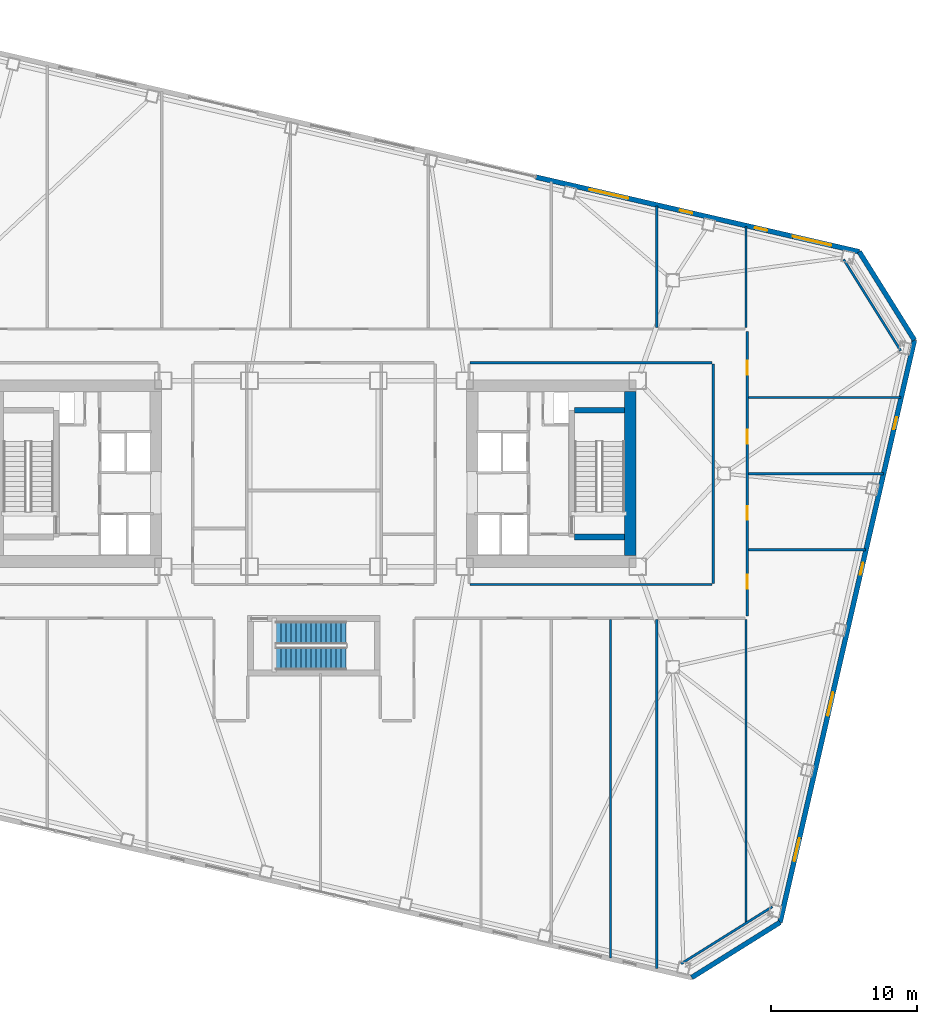
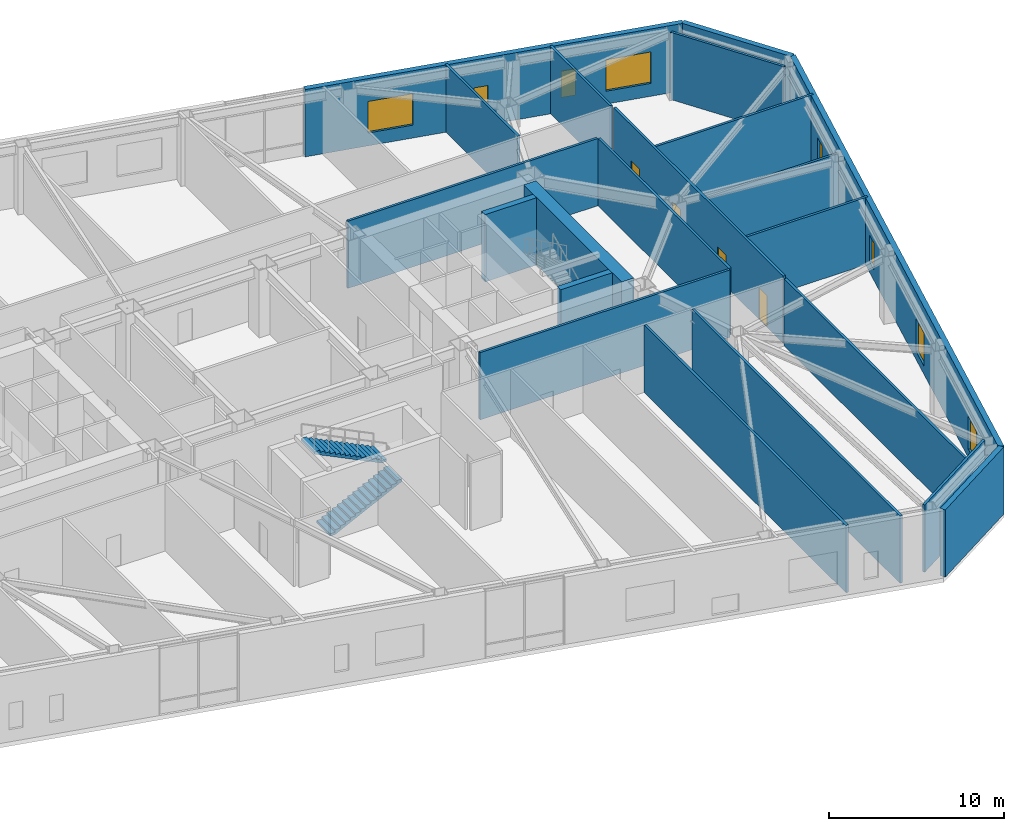
# One storey, part 13 of 20: 21 walls, 8 windows, 4 doors, 2 stair flights, 12 openings, 1 element without a shape of its own.
"""IFC4 building model written with IfcOpenShell, lengths in metres."""

from ifc_helpers import new_model, si_unit, direction, frame, frame_2d, origin, place, context, subcontext, project, spatial, polyline, rectangle, outline, extrude, material, layer, layer_set, type_object, element, fill, aggregate, save


model = new_model("IFC4")

# Units and contexts
model_context = context("Model", 3, precision=1e-05, world=origin(), true_north=direction((0.0, 1.0)))
body_context = subcontext(model_context, "Body", "Model", "MODEL_VIEW")
ifc_project = project(units=[si_unit("LENGTHUNIT", "METRE"), si_unit("AREAUNIT", "SQUARE_METRE"), si_unit("VOLUMEUNIT", "CUBIC_METRE"), si_unit("PLANEANGLEUNIT", "RADIAN"), si_unit("MASSUNIT", "GRAM", prefix="KILO")], contexts=[model_context])

# Site, building, storey
site_placement = place(None, origin())
site = spatial("IfcSite", under=ifc_project, at=site_placement, CompositionType="ELEMENT")
building_placement = place(site_placement, origin())
building = spatial("IfcBuilding", under=site, at=building_placement, Name="Tavrogorsk Clinical Tower", CompositionType="ELEMENT")
storey_placement = place(building_placement, frame((0.0, 0.0, 13.39990234375)))
storey = spatial("IfcBuildingStorey", under=building, at=storey_placement, Name="L02", CompositionType="ELEMENT", Elevation=13.39990234375)

# Walls
ifc_material_1 = material(Name="Lightweight concrete blockwork B15", Category="masonry")
ifc_layer_1 = layer(ifc_material_1, 0.159912109375)
ifc_layer_set_1 = layer_set([ifc_layer_1], Name="Lightweight concrete blockwork B15")
wall_type_1 = type_object("IfcWallType", Name="PartitionWall_160", PredefinedType="PARTITIONING", material=ifc_layer_set_1)
for number, where, z_axis, x_axis, name in (
    (1, (25.0595703125, -33.46826171875, 0.0), (0.0, 0.0, 1.0), (0.848043064089, 0.529927317139, 0.0), "L02 Corner Exoskeleton Brace Furring Wall 1"),
    (2, (40.059814453125, 8.389404296875, 0.0), (0.0, 0.0, 1.0), (-0.529927317139, 0.848043064089, 0.0), "L02 Corner Exoskeleton Brace Furring Wall 2"),
):
    element("IfcWall", number, at=place(storey_placement, frame(where, z_axis=z_axis, x_axis=x_axis)), inside=storey, type_object=wall_type_1, Name=name, PredefinedType="PARTITIONING", context=body_context, shape_type="SweptSolid", body=[
        extrude(rectangle(XDim=7.353759765625, YDim=0.159912109375, at=frame_2d((3.6767578125, 0.0))), origin(), (0.0, 0.0, 1.0), 4.7001953125),
    ])

# Wall, openings, doors
wall_1_placement = place(storey_placement, frame((29.580078125, 9.715087890625, 0.0), z_axis=(0.0, 0.0, 1.0), x_axis=(0.0, -1.0, 0.0)))
wall_1 = element("IfcWall", 3, at=wall_1_placement, inside=storey, type_object=wall_type_1, Name="L02 Corridor Partition 03", PredefinedType="PARTITIONING", context=body_context, shape_type="SweptSolid", body=[
    extrude(rectangle(XDim=19.43017578125, YDim=0.159912109375, at=frame_2d((9.715087890625, 0.0))), origin(), (0.0, 0.0, 1.0), 4.7001953125),
])
opening_1_placement = place(wall_1_placement, frame((16.630859375, 0.0, 0.0)))
opening_1 = element("IfcOpeningElement", 4, at=opening_1_placement, cuts=wall_1, Name="Opening ID-02", PredefinedType="OPENING", context=body_context, shape_type="SweptSolid", body=[
    extrude(rectangle(XDim=0.949951171875, YDim=2.199951171875, at=frame_2d((0.47509765625, 1.10009765625))), frame((0.0, 0.08984375, 0.0), z_axis=(0.0, -1.0, 0.0), x_axis=(1.0, 0.0, 0.0)), (0.0, 0.0, 1.0), 0.179931640625),
])
opening_2_placement = place(wall_1_placement, frame((11.925048828125, 0.0, 0.0)))
opening_2 = element("IfcOpeningElement", 5, at=opening_2_placement, cuts=wall_1, Name="Opening ID-02", PredefinedType="OPENING", context=body_context, shape_type="SweptSolid", body=[
    extrude(rectangle(XDim=0.949951171875, YDim=2.199951171875, at=frame_2d((0.47509765625, 1.10009765625))), frame((0.0, 0.08984375, 0.0), z_axis=(0.0, -1.0, 0.0), x_axis=(1.0, 0.0, 0.0)), (0.0, 0.0, 1.0), 0.179931640625),
])
opening_3_placement = place(wall_1_placement, frame((6.72509765625, 0.0, 0.0)))
opening_3 = element("IfcOpeningElement", 6, at=opening_3_placement, cuts=wall_1, Name="Opening ID-02", PredefinedType="OPENING", context=body_context, shape_type="SweptSolid", body=[
    extrude(rectangle(XDim=0.949951171875, YDim=2.199951171875, at=frame_2d((0.47509765625, 1.10009765625))), frame((0.0, 0.08984375, 0.0), z_axis=(0.0, -1.0, 0.0), x_axis=(1.0, 0.0, 0.0)), (0.0, 0.0, 1.0), 0.179931640625),
])
opening_4_placement = place(wall_1_placement, frame((2.01904296875, 0.0, 0.0)))
opening_4 = element("IfcOpeningElement", 7, at=opening_4_placement, cuts=wall_1, Name="Opening ID-02", PredefinedType="OPENING", context=body_context, shape_type="SweptSolid", body=[
    extrude(rectangle(XDim=0.949951171875, YDim=2.199951171875, at=frame_2d((0.47509765625, 1.10009765625))), frame((0.0, 0.08984375, 0.0), z_axis=(0.0, -1.0, 0.0), x_axis=(1.0, 0.0, 0.0)), (0.0, 0.0, 1.0), 0.179931640625),
])
ifc_material_2 = material(Name="Laminated timber leaf on aluminium frame", Category="wood")
door_type = type_object("IfcDoorType", Name="InteriorDoor_ID02_950", OperationType="NOTDEFINED", PredefinedType="DOOR", material=ifc_material_2)
door_1_placement = place(opening_1_placement, origin())
door_1 = element("IfcDoor", 8, at=door_1_placement, inside=storey, type_object=door_type, Name="L02 E Senior Clinician Suite 1 Door", OperationType="SINGLE_SWING_RIGHT", OverallHeight=2.199951171875, OverallWidth=0.949951171875, PredefinedType="DOOR", context=body_context, shape_type="SweptSolid", body=[
    extrude(rectangle(XDim=0.949951171875, YDim=2.199951171875, at=frame_2d((0.47509765625, 1.10009765625))), frame((0.0, 0.02490234375, 0.0), z_axis=(0.0, -1.0, 0.0), x_axis=(1.0, 0.0, 0.0)), (0.0, 0.0, 1.0), 0.050048828125),
])
fill(opening_1, door_1)
door_2_placement = place(opening_2_placement, origin())
door_2 = element("IfcDoor", 9, at=door_2_placement, inside=storey, type_object=door_type, Name="L02 E Multidisciplinary Seminar Suite 2 Door", OperationType="SINGLE_SWING_LEFT", OverallHeight=2.199951171875, OverallWidth=0.949951171875, PredefinedType="DOOR", context=body_context, shape_type="SweptSolid", body=[
    extrude(rectangle(XDim=0.949951171875, YDim=2.199951171875, at=frame_2d((0.47509765625, 1.10009765625))), frame((0.0, 0.02490234375, 0.0), z_axis=(0.0, -1.0, 0.0), x_axis=(1.0, 0.0, 0.0)), (0.0, 0.0, 1.0), 0.050048828125),
])
fill(opening_2, door_2)
door_3_placement = place(opening_3_placement, origin())
door_3 = element("IfcDoor", 10, at=door_3_placement, inside=storey, type_object=door_type, Name="L02 E Specialist Consultation Room 3 Door", OperationType="SINGLE_SWING_RIGHT", OverallHeight=2.199951171875, OverallWidth=0.949951171875, PredefinedType="DOOR", context=body_context, shape_type="SweptSolid", body=[
    extrude(rectangle(XDim=0.949951171875, YDim=2.199951171875, at=frame_2d((0.47509765625, 1.10009765625))), frame((0.0, 0.02490234375, 0.0), z_axis=(0.0, -1.0, 0.0), x_axis=(1.0, 0.0, 0.0)), (0.0, 0.0, 1.0), 0.050048828125),
])
fill(opening_3, door_3)
door_4_placement = place(opening_4_placement, origin())
door_4 = element("IfcDoor", 11, at=door_4_placement, inside=storey, type_object=door_type, Name="L02 E Clinical Fellows' Study 4 Door", OperationType="SINGLE_SWING_LEFT", OverallHeight=2.199951171875, OverallWidth=0.949951171875, PredefinedType="DOOR", context=body_context, shape_type="SweptSolid", body=[
    extrude(rectangle(XDim=0.949951171875, YDim=2.199951171875, at=frame_2d((0.47509765625, 1.10009765625))), frame((0.0, 0.02490234375, 0.0), z_axis=(0.0, -1.0, 0.0), x_axis=(1.0, 0.0, 0.0)), (0.0, 0.0, 1.0), 0.050048828125),
])
fill(opening_4, door_4)

# Walls
for number, where, z_axis, x_axis, name in (
    (12, (27.18505859375, 7.570068359375, 0.0), (0.0, 0.0, 1.0), (-1.0, 0.0, 0.0), "L02 Corridor Partition 12"),
    (13, (10.6650390625, -7.570068359375, 0.0), (0.0, 0.0, 1.0), (1.0, 0.0, 0.0), "L02 Corridor Partition 15"),
):
    element("IfcWall", number, at=place(storey_placement, frame(where, z_axis=z_axis, x_axis=x_axis)), inside=storey, type_object=wall_type_1, Name=name, PredefinedType="PARTITIONING", context=body_context, shape_type="SweptSolid", body=[
        extrude(rectangle(XDim=16.52001953125, YDim=0.159912109375, at=frame_2d((8.260009765625, 0.0))), origin(), (0.0, 0.0, 1.0), 4.7001953125),
    ])
wall_2_placement = place(storey_placement, frame((27.27001953125, -7.485107421875, 0.0), z_axis=(0.0, 0.0, 1.0), x_axis=(0.0, 1.0, 0.0)))
element("IfcWall", 14, at=wall_2_placement, inside=storey, type_object=wall_type_1, Name="L02 Corridor Partition 16", PredefinedType="PARTITIONING", context=body_context, shape_type="SweptSolid", body=[
    extrude(rectangle(XDim=14.97021484375, YDim=0.159912109375, at=frame_2d((7.485107421875, 0.0))), origin(), (0.0, 0.0, 1.0), 4.7001953125),
])
wall_3_placement = place(storey_placement, frame((29.5, 9.965087890625, 0.0), z_axis=(0.0, 0.0, 1.0), x_axis=(0.0, 1.0, 0.0)))
element("IfcWall", 15, at=wall_3_placement, inside=storey, type_object=wall_type_1, Name="L02 NE Wing Closure Partition", PredefinedType="PARTITIONING", context=body_context, shape_type="SweptSolid", body=[
    extrude(rectangle(XDim=6.897216796875, YDim=0.159912109375, at=frame_2d((3.44873046875, 0.0))), origin(), (0.0, 0.0, 1.0), 4.7001953125),
])
wall_4_placement = place(storey_placement, frame((29.5, -30.702880859375, 0.0), z_axis=(0.0, 0.0, 1.0), x_axis=(0.0, 1.0, 0.0)))
element("IfcWall", 16, at=wall_4_placement, inside=storey, type_object=wall_type_1, Name="L02 SE Wing Closure Partition", PredefinedType="PARTITIONING", context=body_context, shape_type="SweptSolid", body=[
    extrude(rectangle(XDim=20.73779296875, YDim=0.159912109375, at=frame_2d((10.368896484375, 0.0))), origin(), (0.0, 0.0, 1.0), 4.7001953125),
])
wall_5_placement = place(storey_placement, frame((23.39990234375, 9.965087890625, 0.0), z_axis=(0.0, 0.0, 1.0), x_axis=(0.0, 1.0, 0.0)))
element("IfcWall", 17, at=wall_5_placement, inside=storey, type_object=wall_type_1, Name="L02 North Room Partition 7", PredefinedType="PARTITIONING", context=body_context, shape_type="SweptSolid", body=[
    extrude(rectangle(XDim=8.3056640625, YDim=0.159912109375, at=frame_2d((4.15283203125, 0.0))), origin(), (0.0, 0.0, 1.0), 4.7001953125),
])
wall_6_placement = place(storey_placement, frame((23.39990234375, -33.783447265625, 0.0), z_axis=(0.0, 0.0, 1.0), x_axis=(0.0, 1.0, 0.0)))
element("IfcWall", 18, at=wall_6_placement, inside=storey, type_object=wall_type_1, Name="L02 South Room Partition 6", PredefinedType="PARTITIONING", context=body_context, shape_type="SweptSolid", body=[
    extrude(rectangle(XDim=23.818359375, YDim=0.159912109375, at=frame_2d((11.9091796875, 0.0))), origin(), (0.0, 0.0, 1.0), 4.7001953125),
])
wall_7_placement = place(storey_placement, frame((20.25, -33.05615234375, 0.0), z_axis=(0.0, 0.0, 1.0), x_axis=(0.0, 1.0, 0.0)))
element("IfcWall", 19, at=wall_7_placement, inside=storey, type_object=wall_type_1, Name="L02 South Sub-Partition 6", PredefinedType="PARTITIONING", context=body_context, shape_type="SweptSolid", body=[
    extrude(rectangle(XDim=23.091064453125, YDim=0.159912109375, at=frame_2d((11.54541015625, 0.0))), origin(), (0.0, 0.0, 1.0), 4.7001953125),
])
wall_8_placement = place(storey_placement, frame((29.6650390625, -5.199951171875, 0.0), z_axis=(0.0, 0.0, 1.0), x_axis=(1.0, 0.0, 0.0)))
element("IfcWall", 20, at=wall_8_placement, inside=storey, type_object=wall_type_1, Name="L02 E Wing Divider 1", PredefinedType="PARTITIONING", context=body_context, shape_type="SweptSolid", body=[
    extrude(rectangle(XDim=8.007080078125, YDim=0.159912109375, at=frame_2d((4.00341796875, 0.0))), origin(), (0.0, 0.0, 1.0), 4.7001953125),
])
wall_9_placement = place(storey_placement, frame((29.6650390625, 0.0, 0.0), z_axis=(0.0, 0.0, 1.0), x_axis=(1.0, 0.0, 0.0)))
element("IfcWall", 21, at=wall_9_placement, inside=storey, type_object=wall_type_1, Name="L02 E Wing Divider 2", PredefinedType="PARTITIONING", context=body_context, shape_type="SweptSolid", body=[
    extrude(rectangle(XDim=9.207763671875, YDim=0.159912109375, at=frame_2d((4.60400390625, 0.0))), origin(), (0.0, 0.0, 1.0), 4.195068359375),
])
wall_10_placement = place(storey_placement, frame((29.6650390625, 5.199951171875, 0.0), z_axis=(0.0, 0.0, 1.0), x_axis=(1.0, 0.0, 0.0)))
element("IfcWall", 22, at=wall_10_placement, inside=storey, type_object=wall_type_1, Name="L02 E Wing Divider 3", PredefinedType="PARTITIONING", context=body_context, shape_type="SweptSolid", body=[
    extrude(rectangle(XDim=10.408203125, YDim=0.159912109375, at=frame_2d((5.2041015625, 0.0))), origin(), (0.0, 0.0, 1.0), 4.7001953125),
])

# Wall, openings, windows
ifc_material_3 = material(Name="Precast concrete B45 with limestone cladding", Category="masonry")
ifc_layer_2 = layer(ifc_material_3, 0.340087890625)
ifc_layer_set_2 = layer_set([ifc_layer_2], Name="Precast concrete B45 with limestone cladding")
wall_type_2 = type_object("IfcWallType", Name="PrecastLimestoneWall_340", PredefinedType="STANDARD", material=ifc_layer_set_2)
wall_11_placement = place(storey_placement, frame((37.228515625, 15.14990234375, 0.0), z_axis=(0.0, 0.0, 1.0), x_axis=(-0.97436993772, 0.224951604723, 0.0)))
wall_11 = element("IfcWall", 23, at=wall_11_placement, inside=storey, type_object=wall_type_2, Name="L02 N Limestone Facade Wall 1", PredefinedType="STANDARD", context=body_context, shape_type="SweptSolid", body=[
    extrude(rectangle(XDim=22.6513671875, YDim=0.340087890625, at=frame_2d((11.32568359375, 0.0))), origin(), (0.0, 0.0, 1.0), 4.7001953125),
])
opening_5_placement = place(wall_11_placement, frame((16.195068359375, 0.0, 0.89990234375)))
opening_5 = element("IfcOpeningElement", 24, at=opening_5_placement, cuts=wall_11, Name="Opening WN-02", PredefinedType="OPENING", context=body_context, shape_type="SweptSolid", body=[
    extrude(rectangle(XDim=2.699951171875, YDim=2.199951171875, at=frame_2d((1.35009765625, 1.10009765625))), frame((0.0, 0.179931640625, 0.0), z_axis=(0.0, -1.0, 0.0), x_axis=(1.0, 0.0, 0.0)), (0.0, 0.0, 1.0), 0.360107421875),
])
opening_6_placement = place(wall_11_placement, frame((11.710693359375, 0.0, 0.89990234375)))
opening_6 = element("IfcOpeningElement", 25, at=opening_6_placement, cuts=wall_11, Name="Opening WN-06", PredefinedType="OPENING", context=body_context, shape_type="SweptSolid", body=[
    extrude(rectangle(XDim=0.85009765625, YDim=1.85009765625, at=frame_2d((0.425048828125, 0.925048828125))), frame((0.0, 0.179931640625, 0.0), z_axis=(0.0, -1.0, 0.0), x_axis=(1.0, 0.0, 0.0)), (0.0, 0.0, 1.0), 0.360107421875),
])
opening_7_placement = place(wall_11_placement, frame((6.446533203125, 0.0, 0.89990234375)))
opening_7 = element("IfcOpeningElement", 26, at=opening_7_placement, cuts=wall_11, Name="Opening WN-06", PredefinedType="OPENING", context=body_context, shape_type="SweptSolid", body=[
    extrude(rectangle(XDim=0.85009765625, YDim=1.85009765625, at=frame_2d((0.425048828125, 0.925048828125))), frame((0.0, 0.179931640625, 0.0), z_axis=(0.0, -1.0, 0.0), x_axis=(1.0, 0.0, 0.0)), (0.0, 0.0, 1.0), 0.360107421875),
])
opening_8_placement = place(wall_11_placement, frame((1.962158203125, 0.0, 0.89990234375)))
opening_8 = element("IfcOpeningElement", 27, at=opening_8_placement, cuts=wall_11, Name="Opening WN-02", PredefinedType="OPENING", context=body_context, shape_type="SweptSolid", body=[
    extrude(rectangle(XDim=2.699951171875, YDim=2.199951171875, at=frame_2d((1.35009765625, 1.10009765625))), frame((0.0, 0.179931640625, 0.0), z_axis=(0.0, -1.0, 0.0), x_axis=(1.0, 0.0, 0.0)), (0.0, 0.0, 1.0), 0.360107421875),
])
ifc_material_4 = material(Name="Thermally broken aluminium frame and triple IGU", Category="aluminium")
window_type_1 = type_object("IfcWindowType", Name="MullionSubWin_850x1850", PartitioningType="SINGLE_PANEL", PredefinedType="WINDOW", material=ifc_material_4)
window_1_placement = place(opening_6_placement, origin())
window_1 = element("IfcWindow", 28, at=window_1_placement, inside=storey, type_object=window_type_1, Name="L02 N Mullion Split Window 08A", OverallHeight=1.85009765625, OverallWidth=0.85009765625, PartitioningType="SINGLE_PANEL", PredefinedType="WINDOW", context=body_context, shape_type="SweptSolid", body=[
    extrude(rectangle(XDim=0.85009765625, YDim=1.85009765625, at=frame_2d((0.425048828125, 0.925048828125))), frame((0.0, 0.030029296875, 0.0), z_axis=(0.0, -1.0, 0.0), x_axis=(1.0, 0.0, 0.0)), (0.0, 0.0, 1.0), 0.06005859375),
])
fill(opening_6, window_1)
window_2_placement = place(opening_7_placement, origin())
window_2 = element("IfcWindow", 29, at=window_2_placement, inside=storey, type_object=window_type_1, Name="L02 N Mullion Split Window 09A", OverallHeight=1.85009765625, OverallWidth=0.85009765625, PartitioningType="SINGLE_PANEL", PredefinedType="WINDOW", context=body_context, shape_type="SweptSolid", body=[
    extrude(rectangle(XDim=0.85009765625, YDim=1.85009765625, at=frame_2d((0.425048828125, 0.925048828125))), frame((0.0, 0.030029296875, 0.0), z_axis=(0.0, -1.0, 0.0), x_axis=(1.0, 0.0, 0.0)), (0.0, 0.0, 1.0), 0.06005859375),
])
fill(opening_7, window_2)
ifc_material_5 = material(Name="Thermally broken aluminium frame and triple IGU", Category="aluminium")
window_type_2 = type_object("IfcWindowType", Name="WardChicagoWin_2700x2200", PartitioningType="TRIPLE_PANEL_HORIZONTAL", PredefinedType="WINDOW", material=ifc_material_5)
window_3_placement = place(opening_5_placement, origin())
window_3 = element("IfcWindow", 30, at=window_3_placement, inside=storey, type_object=window_type_2, Name="L02 N Chicago Window 07", OverallHeight=2.199951171875, OverallWidth=2.699951171875, PartitioningType="SINGLE_PANEL", PredefinedType="WINDOW", context=body_context, shape_type="SweptSolid", body=[
    extrude(rectangle(XDim=2.699951171875, YDim=2.199951171875, at=frame_2d((1.35009765625, 1.10009765625))), frame((0.0, 0.030029296875, 0.0), z_axis=(0.0, -1.0, 0.0), x_axis=(1.0, 0.0, 0.0)), (0.0, 0.0, 1.0), 0.06005859375),
])
fill(opening_5, window_3)
window_4_placement = place(opening_8_placement, origin())
window_4 = element("IfcWindow", 31, at=window_4_placement, inside=storey, type_object=window_type_2, Name="L02 N Chicago Window 10", OverallHeight=2.199951171875, OverallWidth=2.699951171875, PartitioningType="SINGLE_PANEL", PredefinedType="WINDOW", context=body_context, shape_type="SweptSolid", body=[
    extrude(rectangle(XDim=2.699951171875, YDim=2.199951171875, at=frame_2d((1.35009765625, 1.10009765625))), frame((0.0, 0.030029296875, 0.0), z_axis=(0.0, -1.0, 0.0), x_axis=(1.0, 0.0, 0.0)), (0.0, 0.0, 1.0), 0.06005859375),
])
fill(opening_8, window_4)

wall_12_placement = place(storey_placement, frame((31.820068359375, -30.636962890625, 0.0), z_axis=(0.0, 0.0, 1.0), x_axis=(0.224949969076, 0.974370315338, 0.0)))
wall_12 = element("IfcWall", 32, at=wall_12_placement, inside=storey, type_object=wall_type_2, Name="L02 E Pleated Limestone Wing Wall", PredefinedType="STANDARD", context=body_context, shape_type="SweptSolid", body=[
    extrude(rectangle(XDim=40.800048828125, YDim=0.340087890625, at=frame_2d((20.39990234375, 0.0))), origin(), (0.0, 0.0, 1.0), 4.7001953125),
])
opening_9_placement = place(wall_12_placement, frame((4.300048828125, 0.0, 0.580078125)))
opening_9 = element("IfcOpeningElement", 33, at=opening_9_placement, cuts=wall_12, Name="Opening WN-07", PredefinedType="OPENING", context=body_context, shape_type="SweptSolid", body=[
    extrude(rectangle(XDim=1.60009765625, YDim=2.300048828125, at=frame_2d((0.800048828125, 1.14990234375))), frame((0.0, 0.179931640625, 0.0), z_axis=(0.0, -1.0, 0.0), x_axis=(1.0, 0.0, 0.0)), (0.0, 0.0, 1.0), 0.360107421875),
])
opening_10_placement = place(wall_12_placement, frame((14.5, 0.0, 0.580078125)))
opening_10 = element("IfcOpeningElement", 34, at=opening_10_placement, cuts=wall_12, Name="Opening WN-07", PredefinedType="OPENING", context=body_context, shape_type="SweptSolid", body=[
    extrude(rectangle(XDim=1.60009765625, YDim=2.300048828125, at=frame_2d((0.800048828125, 1.14990234375))), frame((0.0, 0.179931640625, 0.0), z_axis=(0.0, -1.0, 0.0), x_axis=(1.0, 0.0, 0.0)), (0.0, 0.0, 1.0), 0.360107421875),
])
opening_11_placement = place(wall_12_placement, frame((24.35009765625, 0.0, 0.75)))
opening_11 = element("IfcOpeningElement", 35, at=opening_11_placement, cuts=wall_12, Name="Opening WN-06", PredefinedType="OPENING", context=body_context, shape_type="SweptSolid", body=[
    extrude(rectangle(XDim=0.85009765625, YDim=1.85009765625, at=frame_2d((0.425048828125, 0.925048828125))), frame((0.0, 0.179931640625, 0.0), z_axis=(0.0, -1.0, 0.0), x_axis=(1.0, 0.0, 0.0)), (0.0, 0.0, 1.0), 0.360107421875),
])
opening_12_placement = place(wall_12_placement, frame((34.550048828125, 0.0, 0.75)))
opening_12 = element("IfcOpeningElement", 36, at=opening_12_placement, cuts=wall_12, Name="Opening WN-06", PredefinedType="OPENING", context=body_context, shape_type="SweptSolid", body=[
    extrude(rectangle(XDim=0.85009765625, YDim=1.85009765625, at=frame_2d((0.425048828125, 0.925048828125))), frame((0.0, 0.179931640625, 0.0), z_axis=(0.0, -1.0, 0.0), x_axis=(1.0, 0.0, 0.0)), (0.0, 0.0, 1.0), 0.360107421875),
])
window_5_placement = place(opening_11_placement, origin())
window_5 = element("IfcWindow", 37, at=window_5_placement, inside=storey, type_object=window_type_1, Name="L02 E Pleat Mullion Window 3A", OverallHeight=1.85009765625, OverallWidth=0.85009765625, PartitioningType="SINGLE_PANEL", PredefinedType="WINDOW", context=body_context, shape_type="SweptSolid", body=[
    extrude(rectangle(XDim=0.85009765625, YDim=1.85009765625, at=frame_2d((0.425048828125, 0.925048828125))), frame((0.0, 0.030029296875, 0.0), z_axis=(0.0, -1.0, 0.0), x_axis=(1.0, 0.0, 0.0)), (0.0, 0.0, 1.0), 0.06005859375),
])
fill(opening_11, window_5)
window_6_placement = place(opening_12_placement, origin())
window_6 = element("IfcWindow", 38, at=window_6_placement, inside=storey, type_object=window_type_1, Name="L02 E Pleat Mullion Window 4A", OverallHeight=1.85009765625, OverallWidth=0.85009765625, PartitioningType="SINGLE_PANEL", PredefinedType="WINDOW", context=body_context, shape_type="SweptSolid", body=[
    extrude(rectangle(XDim=0.85009765625, YDim=1.85009765625, at=frame_2d((0.425048828125, 0.925048828125))), frame((0.0, 0.030029296875, 0.0), z_axis=(0.0, -1.0, 0.0), x_axis=(1.0, 0.0, 0.0)), (0.0, 0.0, 1.0), 0.06005859375),
])
fill(opening_12, window_6)
ifc_material_6 = material(Name="Thermally broken aluminium frame and triple IGU", Category="aluminium")
window_type_3 = type_object("IfcWindowType", Name="PleatSlotWin_1600x2300", PartitioningType="SINGLE_PANEL", PredefinedType="WINDOW", material=ifc_material_6)
window_7_placement = place(opening_9_placement, origin())
window_7 = element("IfcWindow", 39, at=window_7_placement, inside=storey, type_object=window_type_3, Name="L02 E Pleat Slot Window 1", OverallHeight=2.300048828125, OverallWidth=1.60009765625, PartitioningType="SINGLE_PANEL", PredefinedType="WINDOW", context=body_context, shape_type="SweptSolid", body=[
    extrude(rectangle(XDim=1.60009765625, YDim=2.300048828125, at=frame_2d((0.800048828125, 1.14990234375))), frame((0.0, 0.030029296875, 0.0), z_axis=(0.0, -1.0, 0.0), x_axis=(1.0, 0.0, 0.0)), (0.0, 0.0, 1.0), 0.06005859375),
])
fill(opening_9, window_7)
window_8_placement = place(opening_10_placement, origin())
window_8 = element("IfcWindow", 40, at=window_8_placement, inside=storey, type_object=window_type_3, Name="L02 E Pleat Slot Window 2", OverallHeight=2.300048828125, OverallWidth=1.60009765625, PartitioningType="SINGLE_PANEL", PredefinedType="WINDOW", context=body_context, shape_type="SweptSolid", body=[
    extrude(rectangle(XDim=1.60009765625, YDim=2.300048828125, at=frame_2d((0.800048828125, 1.14990234375))), frame((0.0, 0.030029296875, 0.0), z_axis=(0.0, -1.0, 0.0), x_axis=(1.0, 0.0, 0.0)), (0.0, 0.0, 1.0), 0.06005859375),
])
fill(opening_10, window_8)

# Walls
for number, where, z_axis, x_axis, name in (
    (41, (25.78759765625, -34.406494140625, 0.0), (0.0, 0.0, 1.0), (0.848046504656, 0.529921811158, 0.0), "L02 Chamfered Corner Wall 1"),
    (42, (40.998046875, 9.117431640625, 0.0), (0.0, 0.0, 1.0), (-0.529921811158, 0.848046504656, 0.0), "L02 Chamfered Corner Wall 2"),
):
    element("IfcWall", number, at=place(storey_placement, frame(where, z_axis=z_axis, x_axis=x_axis)), inside=storey, type_object=wall_type_2, Name=name, PredefinedType="STANDARD", context=body_context, shape_type="SweptSolid", body=[
        extrude(rectangle(XDim=7.11328125, YDim=0.340087890625, at=frame_2d((3.556640625, 0.0))), origin(), (0.0, 0.0, 1.0), 4.7001953125),
    ])
ifc_material_7 = material(Name="Concrete B80", Category="concrete")
ifc_layer_3 = layer(ifc_material_7, 0.39990234375)
ifc_layer_set_3 = layer_set([ifc_layer_3], Name="Concrete B80")
wall_type_3 = type_object("IfcWallType", Name="ShearWall_400", PredefinedType="SHEAR", material=ifc_layer_set_3)
for number, where, z_axis, x_axis, name in (
    (43, (17.800048828125, -4.324951171875, 0.0), (0.0, 0.0, 1.0), (1.0, 0.0, 0.0), "L02 Core East Stair Shaft South Shear Wall"),
    (44, (17.800048828125, 4.324951171875, 0.0), (0.0, 0.0, 1.0), (1.0, 0.0, 0.0), "L02 Core East Stair Shaft North Shear Wall"),
):
    element("IfcWall", number, at=place(storey_placement, frame(where, z_axis=z_axis, x_axis=x_axis)), inside=storey, type_object=wall_type_3, Name=name, PredefinedType="SHEAR", context=body_context, shape_type="SweptSolid", body=[
        extrude(rectangle(XDim=3.39990234375, YDim=0.39990234375, at=frame_2d((1.699951171875, 0.0))), origin(), (0.0, 0.0, 1.0), 4.7001953125),
    ])
ifc_material_8 = material(Name="Concrete B80", Category="concrete")
ifc_layer_4 = layer(ifc_material_8, 0.800048828125)
ifc_layer_set_4 = layer_set([ifc_layer_4], Name="Concrete B80")
wall_type_4 = type_object("IfcWallType", Name="ShearWall_800", PredefinedType="SHEAR", material=ifc_layer_set_4)
wall_13_placement = place(storey_placement, frame((21.60009765625, -5.60009765625, 0.0), z_axis=(0.0, 0.0, 1.0), x_axis=(0.0, 1.0, 0.0)))
element("IfcWall", 45, at=wall_13_placement, inside=storey, type_object=wall_type_4, Name="L02 Core East End Shear Wall", PredefinedType="SHEAR", context=body_context, shape_type="SweptSolid", body=[
    extrude(rectangle(XDim=11.2001953125, YDim=0.800048828125, at=frame_2d((5.60009765625, 0.0))), origin(), (0.0, 0.0, 1.0), 4.7001953125),
])

# Stair, stair flights
ifc_material_9 = material(Name="Concrete B60", Category="concrete")
stair_type = type_object("IfcStairType", Name="CoreStairAssembly", PredefinedType="HALF_TURN_STAIR", material=ifc_material_9)
stair_placement = place(storey_placement, origin())
stair = element("IfcStair", 46, at=stair_placement, inside=storey, type_object=stair_type, Name="L02 ST-P", PredefinedType="HALF_TURN_STAIR")
ifc_material_10 = material(Name="Concrete B60", Category="concrete")
stair_flight_type = type_object("IfcStairFlightType", Name="CoreStairFlight", PredefinedType="STRAIGHT", material=ifc_material_10)
stair_flight_1_placement = place(storey_placement, frame((-2.574951171875, -12.625, 0.0), z_axis=(0.0, 0.0, 1.0), x_axis=(1.0, 0.0, 0.0)))
stair_flight_1 = element("IfcStairFlight", 47, at=stair_flight_1_placement, type_object=stair_flight_type, Name="ST-P flight 1", NumberOfRisers=15, NumberOfTreads=14, PredefinedType="STRAIGHT", RiserHeight=0.166666667, TreadLength=0.34, context=body_context, shape_type="SweptSolid", body=[
    extrude(outline(polyline([(0.0, 0.0), (0.0, 0.166748046875), (0.340087890625, 0.166748046875), (0.340087890625, 0.333251953125), (0.679931640625, 0.333251953125), (0.679931640625, 0.5), (1.02001953125, 0.5), (1.02001953125, 0.666748046875), (1.360107421875, 0.666748046875), (1.360107421875, 0.833251953125), (1.699951171875, 0.833251953125), (1.699951171875, 1.0), (2.0400390625, 1.0), (2.0400390625, 1.166748046875), (2.3798828125, 1.166748046875), (2.3798828125, 1.333251953125), (2.719970703125, 1.333251953125), (2.719970703125, 1.5), (3.06005859375, 1.5), (3.06005859375, 1.666748046875), (3.39990234375, 1.666748046875), (3.39990234375, 1.833251953125), (3.739990234375, 1.833251953125), (3.739990234375, 2.0), (4.080078125, 2.0), (4.080078125, 2.166748046875), (4.419921875, 2.166748046875), (4.419921875, 2.333251953125), (4.760009765625, 2.333251953125), (4.760009765625, 2.5), (4.760009765625, 2.16650390625), (0.340576171875, 0.0), (0.0, 0.0)])), frame((0.0, 0.77490234375, 0.0), z_axis=(0.0, -1.0, 0.0), x_axis=(1.0, 0.0, 0.0)), (0.0, 0.0, 1.0), 1.550048828125),
])
stair_flight_2_placement = place(storey_placement, frame((2.18505859375, -10.875, 2.5), z_axis=(0.0, 0.0, 1.0), x_axis=(-1.0, 0.0, 0.0)))
stair_flight_2 = element("IfcStairFlight", 48, at=stair_flight_2_placement, type_object=stair_flight_type, Name="ST-P flight 2", NumberOfRisers=15, NumberOfTreads=14, PredefinedType="STRAIGHT", RiserHeight=0.166666667, TreadLength=0.34, context=body_context, shape_type="SweptSolid", body=[
    extrude(outline(polyline([(0.0, 0.0), (0.0, 0.166748046875), (0.340087890625, 0.166748046875), (0.340087890625, 0.333251953125), (0.679931640625, 0.333251953125), (0.679931640625, 0.5), (1.02001953125, 0.5), (1.02001953125, 0.666748046875), (1.360107421875, 0.666748046875), (1.360107421875, 0.833251953125), (1.699951171875, 0.833251953125), (1.699951171875, 1.0), (2.0400390625, 1.0), (2.0400390625, 1.166748046875), (2.3798828125, 1.166748046875), (2.3798828125, 1.333251953125), (2.719970703125, 1.333251953125), (2.719970703125, 1.5), (3.06005859375, 1.5), (3.06005859375, 1.666748046875), (3.39990234375, 1.666748046875), (3.39990234375, 1.833251953125), (3.739990234375, 1.833251953125), (3.739990234375, 2.0), (4.080078125, 2.0), (4.080078125, 2.166748046875), (4.419921875, 2.166748046875), (4.419921875, 2.333251953125), (4.760009765625, 2.333251953125), (4.760009765625, 2.5), (4.760009765625, 2.16650390625), (0.340576171875, 0.0), (0.0, 0.0)])), frame((0.0, 0.77490234375, 0.0), z_axis=(0.0, -1.0, 0.0), x_axis=(1.0, 0.0, 0.0)), (0.0, 0.0, 1.0), 1.550048828125),
])
aggregate(stair, [stair_flight_1, stair_flight_2])

save(model, "model.ifc")
